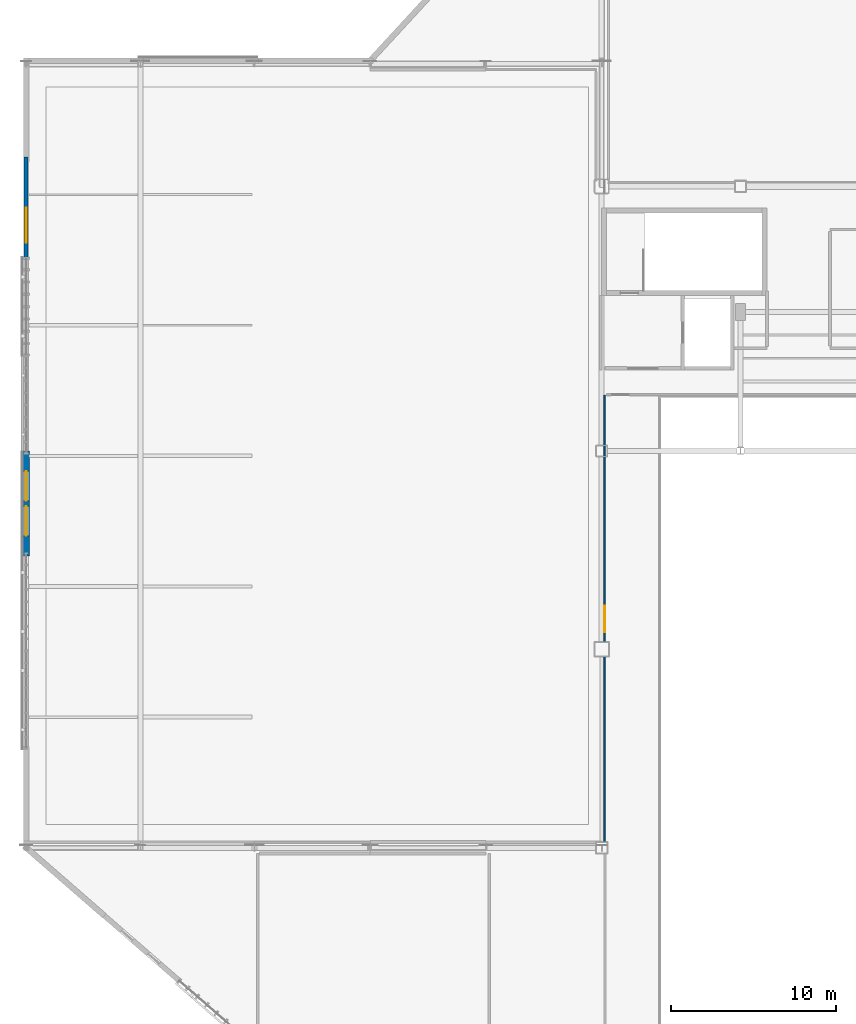
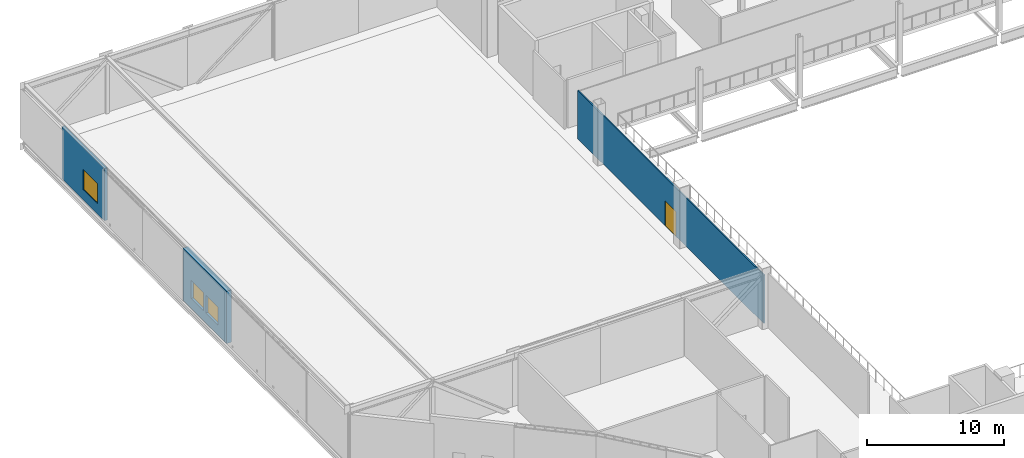
# One storey, part 115 of 135: 3 walls, 3 windows, 1 door, 4 openings.
"""IFC4 building model written with IfcOpenShell, lengths in metres."""

from ifc_helpers import new_model, si_unit, direction, frame, frame_2d, origin, place, context, subcontext, project, spatial, rectangle, extrude, material, layer, layer_set, type_object, element, fill, save


model = new_model("IFC4")

# Units and contexts
model_context = context("Model", 3, precision=1e-05, world=origin(), true_north=direction((0.0, 1.0)))
body_context = subcontext(model_context, "Body", "Model", "MODEL_VIEW")
ifc_project = project(units=[si_unit("LENGTHUNIT", "METRE"), si_unit("AREAUNIT", "SQUARE_METRE"), si_unit("VOLUMEUNIT", "CUBIC_METRE"), si_unit("PLANEANGLEUNIT", "RADIAN"), si_unit("MASSUNIT", "GRAM", prefix="KILO")], contexts=[model_context])

# Site, building, storey
site_placement = place(None, origin())
site = spatial("IfcSite", under=ifc_project, at=site_placement, CompositionType="ELEMENT")
building_placement = place(site_placement, origin())
building = spatial("IfcBuilding", under=site, at=building_placement, Name="Larkvane Passage Sports Hall", CompositionType="ELEMENT")
storey_placement = place(building_placement, frame((0.0, 0.0, 16.800048828125)))
storey = spatial("IfcBuildingStorey", under=building, at=storey_placement, Name="L03", CompositionType="ELEMENT", Elevation=16.800048828125)

# Wall, opening, window
ifc_material_1 = material(Name="Concrete C40/50", Category="concrete")
ifc_layer_1 = layer(ifc_material_1, 0.239990234375)
ifc_layer_set_1 = layer_set([ifc_layer_1], Name="Concrete C40/50")
wall_type_1 = type_object("IfcWallType", Name="WL-EXT-240", PredefinedType="SOLIDWALL", material=ifc_layer_set_1)
wall_1_placement = place(storey_placement, frame((0.0, 87.184814453125, 0.0), z_axis=(0.0, 0.0, 1.0), x_axis=(0.0, 1.0, 0.0)))
wall_1 = element("IfcWall", 1, at=wall_1_placement, inside=storey, type_object=wall_type_1, Name="Exterior wall WAL-EXT-L03-189", PredefinedType="SOLIDWALL", context=body_context, shape_type="SweptSolid", body=[
    extrude(rectangle(XDim=6.180419921875, YDim=0.239990234375, at=frame_2d((3.09033203125, 0.0))), origin(), (0.0, 0.0, 1.0), 4.64794921875),
])
opening_1_placement = place(wall_1_placement, frame((1.010009765625, 0.0, 0.89990234375)))
opening_1 = element("IfcOpeningElement", 2, at=opening_1_placement, cuts=wall_1, Name="Opening W-03", PredefinedType="OPENING", context=body_context, shape_type="SweptSolid", body=[
    extrude(rectangle(XDim=2.10009765625, YDim=1.800048828125, at=frame_2d((1.050048828125, 0.89990234375))), frame((0.0, 0.1298828125, 0.0), z_axis=(0.0, -1.0, 0.0), x_axis=(1.0, 0.0, 0.0)), (0.0, 0.0, 1.0), 0.260009765625),
])
ifc_material_2 = material(Name="Thermally broken aluminium and laminated low-E glass", Category="aluminium")
window_type_1 = type_object("IfcWindowType", Name="WN-FIX-2100x1800", PartitioningType="DOUBLE_PANEL_VERTICAL", PredefinedType="WINDOW", material=ifc_material_2)
window_1_placement = place(opening_1_placement, origin())
window_1 = element("IfcWindow", 3, at=window_1_placement, inside=storey, type_object=window_type_1, Name="Window L03-085", OverallHeight=1.800048828125, OverallWidth=2.10009765625, PartitioningType="DOUBLE_PANEL_VERTICAL", PredefinedType="WINDOW", context=body_context, shape_type="SweptSolid", body=[
    extrude(rectangle(XDim=2.10009765625, YDim=1.800048828125, at=frame_2d((1.050048828125, 0.89990234375))), frame((0.0, 0.030029296875, 0.0), z_axis=(0.0, -1.0, 0.0), x_axis=(1.0, 0.0, 0.0)), (0.0, 0.0, 1.0), 0.06005859375),
])
fill(opening_1, window_1)

# Wall, openings, windows
ifc_layer_2 = layer(ifc_material_1, 0.425048828125)
ifc_layer_set_2 = layer_set([ifc_layer_2], Name="Concrete C40/50")
wall_type_2 = type_object("IfcWallType", Name="WL-EXT-425", PredefinedType="SOLIDWALL", material=ifc_layer_set_2)
wall_2_placement = place(storey_placement, frame((0.0, 69.24609375, 0.0), z_axis=(0.0, 0.0, 1.0), x_axis=(0.0, 1.0, 0.0)))
wall_2 = element("IfcWall", 4, at=wall_2_placement, inside=storey, type_object=wall_type_2, Name="Exterior wall WAL-EXT-L03-188", PredefinedType="SOLIDWALL", context=body_context, shape_type="SweptSolid", body=[
    extrude(rectangle(XDim=6.35791015625, YDim=0.425048828125, at=frame_2d((3.178955078125, 0.0))), origin(), (0.0, 0.0, 1.0), 4.64794921875),
])
opening_2_placement = place(wall_2_placement, frame((1.218994140625, 0.0, 0.89990234375)))
opening_2 = element("IfcOpeningElement", 5, at=opening_2_placement, cuts=wall_2, Name="Opening W-02", PredefinedType="OPENING", context=body_context, shape_type="SweptSolid", body=[
    extrude(rectangle(XDim=1.800048828125, YDim=1.60009765625, at=frame_2d((0.89990234375, 0.800048828125))), frame((0.0, 0.222412109375, 0.0), z_axis=(0.0, -1.0, 0.0), x_axis=(1.0, 0.0, 0.0)), (0.0, 0.0, 1.0), 0.445068359375),
])
opening_3_placement = place(wall_2_placement, frame((3.339111328125, 0.0, 0.89990234375)))
opening_3 = element("IfcOpeningElement", 6, at=opening_3_placement, cuts=wall_2, Name="Opening W-02", PredefinedType="OPENING", context=body_context, shape_type="SweptSolid", body=[
    extrude(rectangle(XDim=1.800048828125, YDim=1.60009765625, at=frame_2d((0.89990234375, 0.800048828125))), frame((0.0, 0.222412109375, 0.0), z_axis=(0.0, -1.0, 0.0), x_axis=(1.0, 0.0, 0.0)), (0.0, 0.0, 1.0), 0.445068359375),
])
window_type_2 = type_object("IfcWindowType", Name="WN-FIX-1800x1600", PartitioningType="SINGLE_PANEL", PredefinedType="WINDOW", material=ifc_material_2)
window_2_placement = place(opening_2_placement, origin())
window_2 = element("IfcWindow", 7, at=window_2_placement, inside=storey, type_object=window_type_2, Name="Window L03-083", OverallHeight=1.60009765625, OverallWidth=1.800048828125, PartitioningType="SINGLE_PANEL", PredefinedType="WINDOW", context=body_context, shape_type="SweptSolid", body=[
    extrude(rectangle(XDim=1.800048828125, YDim=1.60009765625, at=frame_2d((0.89990234375, 0.800048828125))), frame((0.0, 0.030029296875, 0.0), z_axis=(0.0, -1.0, 0.0), x_axis=(1.0, 0.0, 0.0)), (0.0, 0.0, 1.0), 0.06005859375),
])
fill(opening_2, window_2)
window_3_placement = place(opening_3_placement, origin())
window_3 = element("IfcWindow", 8, at=window_3_placement, inside=storey, type_object=window_type_2, Name="Window L03-084", OverallHeight=1.60009765625, OverallWidth=1.800048828125, PartitioningType="SINGLE_PANEL", PredefinedType="WINDOW", context=body_context, shape_type="SweptSolid", body=[
    extrude(rectangle(XDim=1.800048828125, YDim=1.60009765625, at=frame_2d((0.89990234375, 0.800048828125))), frame((0.0, 0.030029296875, 0.0), z_axis=(0.0, -1.0, 0.0), x_axis=(1.0, 0.0, 0.0)), (0.0, 0.0, 1.0), 0.06005859375),
])
fill(opening_3, window_3)

# Wall, opening, door
ifc_material_3 = material(Name="Gypsum twin-stud acoustic partition")
ifc_layer_3 = layer(ifc_material_3, 0.10009765625)
ifc_layer_set_3 = layer_set([ifc_layer_3], Name="Gypsum twin-stud acoustic partition")
wall_type_3 = type_object("IfcWallType", Name="WL-PART-100", PredefinedType="PARTITIONING", material=ifc_layer_set_3)
wall_3_placement = place(storey_placement, frame((34.97998046875, 78.97998046875, 0.0), z_axis=(0.0, 0.0, 1.0), x_axis=(0.0, -1.0, 0.0)))
wall_3 = element("IfcWall", 9, at=wall_3_placement, inside=storey, type_object=wall_type_3, Name="Interior partition WAL-PART-L03-0297", PredefinedType="PARTITIONING", context=body_context, shape_type="SweptSolid", body=[
    extrude(rectangle(XDim=27.080078125, YDim=0.10009765625, at=frame_2d((13.5400390625, 0.0))), origin(), (0.0, 0.0, 1.0), 4.31005859375),
])
opening_4_placement = place(wall_3_placement, frame((12.739990234375, 0.0, 0.0)))
opening_4 = element("IfcOpeningElement", 10, at=opening_4_placement, cuts=wall_3, Name="Opening DI-03", PredefinedType="OPENING", context=body_context, shape_type="SweptSolid", body=[
    extrude(rectangle(XDim=1.60009765625, YDim=2.199951171875, at=frame_2d((0.800048828125, 1.10009765625))), frame((0.0, 0.06005859375, 0.0), z_axis=(0.0, -1.0, 0.0), x_axis=(1.0, 0.0, 0.0)), (0.0, 0.0, 1.0), 0.1201171875),
])
ifc_material_4 = material(Name="Glazed aluminium studio double door", Category="aluminium")
door_type = type_object("IfcDoorType", Name="DR-INT-1600", OperationType="DOUBLE_DOOR_SINGLE_SWING", PredefinedType="DOOR", material=ifc_material_4)
door_placement = place(opening_4_placement, origin())
door = element("IfcDoor", 11, at=door_placement, inside=storey, type_object=door_type, Name="Interior door L03-0090", OperationType="DOUBLE_DOOR_SINGLE_SWING", OverallHeight=2.199951171875, OverallWidth=1.60009765625, PredefinedType="DOOR", context=body_context, shape_type="SweptSolid", body=[
    extrude(rectangle(XDim=1.60009765625, YDim=2.199951171875, at=frame_2d((0.800048828125, 1.10009765625))), frame((0.0, 0.02490234375, 0.0), z_axis=(0.0, -1.0, 0.0), x_axis=(1.0, 0.0, 0.0)), (0.0, 0.0, 1.0), 0.050048828125),
])
fill(opening_4, door)

save(model, "model.ifc")
